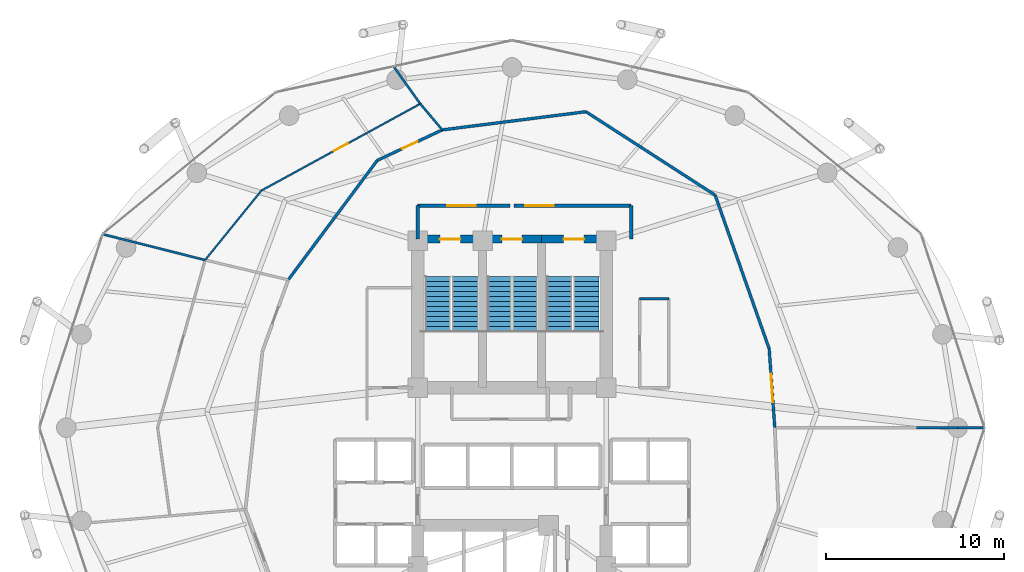
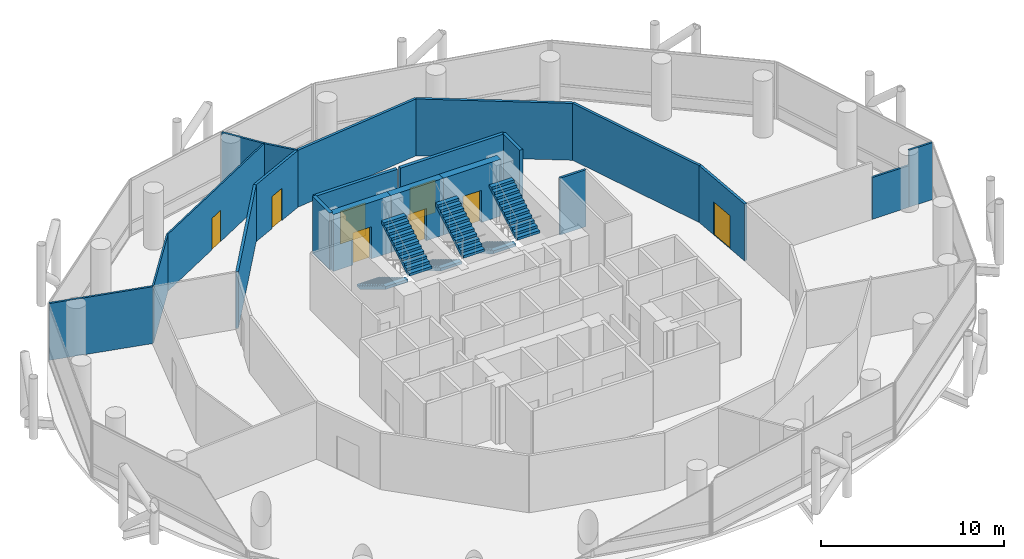
# One storey, part 23 of 24: 21 walls, 8 doors, 6 stair flights, 8 openings, 3 elements without a shape of their own.
"""IFC4 building model written with IfcOpenShell, lengths in metres."""

from ifc_helpers import new_model, si_unit, direction, frame, frame_2d, origin, place, context, subcontext, project, spatial, polyline, rectangle, outline, extrude, material, layer, layer_set, type_object, element, fill, aggregate, save


model = new_model("IFC4")

# Units and contexts
model_context = context("Model", 3, precision=1e-05, world=origin(), true_north=direction((0.0, 1.0)))
body_context = subcontext(model_context, "Body", "Model", "MODEL_VIEW")
ifc_project = project(units=[si_unit("LENGTHUNIT", "METRE"), si_unit("AREAUNIT", "SQUARE_METRE"), si_unit("VOLUMEUNIT", "CUBIC_METRE"), si_unit("PLANEANGLEUNIT", "RADIAN"), si_unit("MASSUNIT", "GRAM", prefix="KILO")], contexts=[model_context])

# Site, building, storey
site_placement = place(None, origin())
site = spatial("IfcSite", under=ifc_project, at=site_placement, CompositionType="ELEMENT")
building_placement = place(site_placement, origin())
building = spatial("IfcBuilding", under=site, at=building_placement, Name="Nuhasar Tower", CompositionType="ELEMENT")
storey_placement = place(building_placement, frame((0.0, 0.0, 81.75)))
storey = spatial("IfcBuildingStorey", under=building, at=storey_placement, Name="L19", CompositionType="ELEMENT", Elevation=81.75)

# Wall, opening, door
ifc_material_1 = material(Name="Concrete C50/60", Category="concrete")
ifc_layer_1 = layer(ifc_material_1, 0.449951171875)
ifc_layer_set_1 = layer_set([ifc_layer_1], Name="Concrete C50/60")
wall_type_1 = type_object("IfcWallType", Name="WL-CORE-450", PredefinedType="SHEAR", material=ifc_layer_set_1)
wall_1_placement = place(storey_placement, frame((37.35009765625, 37.39990234375, 0.0), z_axis=(0.0, 0.0, 1.0), x_axis=(-1.0, 0.0, 0.0)))
wall_1 = element("IfcWall", 1, at=wall_1_placement, inside=storey, type_object=wall_type_1, Name="L19 Stairwell Shear Wall ST01-N", PredefinedType="SHEAR", context=body_context, shape_type="SweptSolid", body=[
    extrude(rectangle(XDim=3.650146484375, YDim=0.449951171875, at=frame_2d((1.8251953125, 0.0))), origin(), (0.0, 0.0, 1.0), 3.800048828125),
])
opening_1_placement = place(wall_1_placement, frame((1.25, 0.0, 0.0)))
opening_1 = element("IfcOpeningElement", 2, at=opening_1_placement, cuts=wall_1, Name="Opening DS-01", PredefinedType="OPENING", context=body_context, shape_type="SweptSolid", body=[
    extrude(rectangle(XDim=1.14990234375, YDim=2.14990234375, at=frame_2d((0.574951171875, 1.074951171875))), frame((0.0, 0.23486328125, 0.0), z_axis=(0.0, -1.0, 0.0), x_axis=(1.0, 0.0, 0.0)), (0.0, 0.0, 1.0), 0.469970703125),
])
ifc_material_2 = material(Name="Steel S355", Category="steel")
door_type_1 = type_object("IfcDoorType", Name="DR-STAIR-FD120-1150", OperationType="NOTDEFINED", PredefinedType="DOOR", material=ifc_material_2)
door_1_placement = place(opening_1_placement, origin())
door_1 = element("IfcDoor", 3, at=door_1_placement, inside=storey, type_object=door_type_1, Name="L19 Exit Stair ST-01 Door", OperationType="SINGLE_SWING_RIGHT", OverallHeight=2.14990234375, OverallWidth=1.14990234375, PredefinedType="DOOR", context=body_context, shape_type="SweptSolid", body=[
    extrude(rectangle(XDim=1.14990234375, YDim=2.14990234375, at=frame_2d((0.574951171875, 1.074951171875))), frame((0.0, 0.02490234375, 0.0), z_axis=(0.0, -1.0, 0.0), x_axis=(1.0, 0.0, 0.0)), (0.0, 0.0, 1.0), 0.050048828125),
])
fill(opening_1, door_1)

wall_2_placement = place(storey_placement, frame((40.64990234375, 37.39990234375, 0.0), z_axis=(0.0, 0.0, 1.0), x_axis=(-1.0, 0.0, 0.0)))
wall_2 = element("IfcWall", 4, at=wall_2_placement, inside=storey, type_object=wall_type_1, Name="L19 Stairwell Shear Wall ST03-N", PredefinedType="SHEAR", context=body_context, shape_type="SweptSolid", body=[
    extrude(rectangle(XDim=3.2998046875, YDim=0.449951171875, at=frame_2d((1.64990234375, 0.0))), origin(), (0.0, 0.0, 1.0), 3.800048828125),
])
opening_2_placement = place(wall_2_placement, frame((1.074951171875, 0.0, 0.0)))
opening_2 = element("IfcOpeningElement", 5, at=opening_2_placement, cuts=wall_2, Name="Opening DS-01", PredefinedType="OPENING", context=body_context, shape_type="SweptSolid", body=[
    extrude(rectangle(XDim=1.14990234375, YDim=2.14990234375, at=frame_2d((0.574951171875, 1.074951171875))), frame((0.0, 0.23486328125, 0.0), z_axis=(0.0, -1.0, 0.0), x_axis=(1.0, 0.0, 0.0)), (0.0, 0.0, 1.0), 0.469970703125),
])
door_2_placement = place(opening_2_placement, origin())
door_2 = element("IfcDoor", 6, at=door_2_placement, inside=storey, type_object=door_type_1, Name="L19 Exit Stair ST-03 Door", OperationType="SINGLE_SWING_RIGHT", OverallHeight=2.14990234375, OverallWidth=1.14990234375, PredefinedType="DOOR", context=body_context, shape_type="SweptSolid", body=[
    extrude(rectangle(XDim=1.14990234375, YDim=2.14990234375, at=frame_2d((0.574951171875, 1.074951171875))), frame((0.0, 0.02490234375, 0.0), z_axis=(0.0, -1.0, 0.0), x_axis=(1.0, 0.0, 0.0)), (0.0, 0.0, 1.0), 0.050048828125),
])
fill(opening_2, door_2)

wall_3_placement = place(storey_placement, frame((44.300048828125, 37.39990234375, 0.0), z_axis=(0.0, 0.0, 1.0), x_axis=(-1.0, 0.0, 0.0)))
wall_3 = element("IfcWall", 7, at=wall_3_placement, inside=storey, type_object=wall_type_1, Name="L19 Stairwell Shear Wall ST02-N", PredefinedType="SHEAR", context=body_context, shape_type="SweptSolid", body=[
    extrude(rectangle(XDim=3.650146484375, YDim=0.449951171875, at=frame_2d((1.8251953125, 0.0))), origin(), (0.0, 0.0, 1.0), 3.800048828125),
])
opening_3_placement = place(wall_3_placement, frame((1.25, 0.0, 0.0)))
opening_3 = element("IfcOpeningElement", 8, at=opening_3_placement, cuts=wall_3, Name="Opening DS-01", PredefinedType="OPENING", context=body_context, shape_type="SweptSolid", body=[
    extrude(rectangle(XDim=1.14990234375, YDim=2.14990234375, at=frame_2d((0.574951171875, 1.074951171875))), frame((0.0, 0.23486328125, 0.0), z_axis=(0.0, -1.0, 0.0), x_axis=(1.0, 0.0, 0.0)), (0.0, 0.0, 1.0), 0.469970703125),
])
door_3_placement = place(opening_3_placement, origin())
door_3 = element("IfcDoor", 9, at=door_3_placement, inside=storey, type_object=door_type_1, Name="L19 Exit Stair ST-02 Door", OperationType="SINGLE_SWING_LEFT", OverallHeight=2.14990234375, OverallWidth=1.14990234375, PredefinedType="DOOR", context=body_context, shape_type="SweptSolid", body=[
    extrude(rectangle(XDim=1.14990234375, YDim=2.14990234375, at=frame_2d((0.574951171875, 1.074951171875))), frame((0.0, 0.02490234375, 0.0), z_axis=(0.0, -1.0, 0.0), x_axis=(1.0, 0.0, 0.0)), (0.0, 0.0, 1.0), 0.050048828125),
])
fill(opening_3, door_3)

ifc_material_3 = material(Name="Gypsum Board", Category="gypsum")
ifc_layer_2 = layer(ifc_material_3, 0.159912109375)
ifc_layer_set_2 = layer_set([ifc_layer_2], Name="Gypsum Board")
wall_type_2 = type_object("IfcWallType", Name="WL-CORR-160", PredefinedType="PARTITIONING", material=ifc_layer_set_2)
wall_4_placement = place(storey_placement, frame((53.455078125, 31.23388671875, 0.0), z_axis=(0.0, 0.0, 1.0), x_axis=(0.070852813603, -0.997486781268, 0.0)))
wall_4 = element("IfcWall", 10, at=wall_4_placement, inside=storey, type_object=wall_type_2, Name="L19 Interior Partition CORR-00", PredefinedType="PARTITIONING", context=body_context, shape_type="SweptSolid", body=[
    extrude(rectangle(XDim=4.445068359375, YDim=0.159912109375, at=frame_2d((2.22265625, 0.0))), origin(), (0.0, 0.0, 1.0), 3.800048828125),
])
opening_4_placement = place(wall_4_placement, frame((1.423095703125, 0.0, 0.0)))
opening_4 = element("IfcOpeningElement", 11, at=opening_4_placement, cuts=wall_4, Name="Opening DC-01", PredefinedType="OPENING", context=body_context, shape_type="SweptSolid", body=[
    extrude(rectangle(XDim=1.60009765625, YDim=2.199951171875, at=frame_2d((0.800048828125, 1.10009765625))), frame((0.0, 0.08984375, 0.0), z_axis=(0.0, -1.0, 0.0), x_axis=(1.0, 0.0, 0.0)), (0.0, 0.0, 1.0), 0.179931640625),
])
door_type_2 = type_object("IfcDoorType", Name="DR-CORR-FD60-1600", OperationType="DOUBLE_DOOR_SINGLE_SWING", PredefinedType="DOOR", material=ifc_material_2)
door_4_placement = place(opening_4_placement, origin())
door_4 = element("IfcDoor", 12, at=door_4_placement, inside=storey, type_object=door_type_2, Name="L19 Diplomatic Chancery Open-Plan Hall Entry Door", OperationType="DOUBLE_DOOR_SINGLE_SWING", OverallHeight=2.199951171875, OverallWidth=1.60009765625, PredefinedType="DOOR", context=body_context, shape_type="SweptSolid", body=[
    extrude(rectangle(XDim=1.60009765625, YDim=2.199951171875, at=frame_2d((0.800048828125, 1.10009765625))), frame((0.0, 0.02490234375, 0.0), z_axis=(0.0, -1.0, 0.0), x_axis=(1.0, 0.0, 0.0)), (0.0, 0.0, 1.0), 0.050048828125),
])
fill(opening_4, door_4)

# Walls
wall_5_placement = place(storey_placement, frame((53.455078125, 31.23388671875, 0.0), z_axis=(0.0, 0.0, 1.0), x_axis=(-0.331754156234, 0.943365878025, 0.0)))
element("IfcWall", 13, at=wall_5_placement, inside=storey, type_object=wall_type_2, Name="L19 Interior Partition CORR-02", PredefinedType="PARTITIONING", context=body_context, shape_type="SweptSolid", body=[
    extrude(rectangle(XDim=9.15478515625, YDim=0.159912109375, at=frame_2d((4.577392578125, 0.0))), origin(), (0.0, 0.0, 1.0), 3.800048828125),
])
wall_6_placement = place(storey_placement, frame((50.41796875, 39.8701171875, 0.0), z_axis=(0.0, 0.0, 1.0), x_axis=(-0.840113125335, 0.542411224662, 0.0)))
element("IfcWall", 14, at=wall_6_placement, inside=storey, type_object=wall_type_2, Name="L19 Interior Partition CORR-06", PredefinedType="PARTITIONING", context=body_context, shape_type="SweptSolid", body=[
    extrude(rectangle(XDim=8.642822265625, YDim=0.159912109375, at=frame_2d((4.3212890625, 0.0))), origin(), (0.0, 0.0, 1.0), 3.800048828125),
])
wall_7_placement = place(storey_placement, frame((43.156982421875, 44.55810546875, 0.0), z_axis=(0.0, 0.0, 1.0), x_axis=(-0.992082384678, -0.125588781395, 0.0)))
element("IfcWall", 15, at=wall_7_placement, inside=storey, type_object=wall_type_2, Name="L19 Interior Partition CORR-10", PredefinedType="PARTITIONING", context=body_context, shape_type="SweptSolid", body=[
    extrude(rectangle(XDim=8.139404296875, YDim=0.159912109375, at=frame_2d((4.06982421875, 0.0))), origin(), (0.0, 0.0, 1.0), 3.800048828125),
])

# Wall, opening, door
wall_8_placement = place(storey_placement, frame((31.425048828125, 41.818115234375, 0.0), z_axis=(0.0, 0.0, 1.0), x_axis=(0.905119749385, 0.42515672319, 0.0)))
wall_8 = element("IfcWall", 16, at=wall_8_placement, inside=storey, type_object=wall_type_2, Name="L19 Interior Partition CORR-14", PredefinedType="PARTITIONING", context=body_context, shape_type="SweptSolid", body=[
    extrude(rectangle(XDim=4.040283203125, YDim=0.159912109375, at=frame_2d((2.02001953125, 0.0))), origin(), (0.0, 0.0, 1.0), 3.800048828125),
])
opening_5_placement = place(wall_8_placement, frame((1.544921875, 0.0, 0.0)))
opening_5 = element("IfcOpeningElement", 17, at=opening_5_placement, cuts=wall_8, Name="Opening DO-01", PredefinedType="OPENING", context=body_context, shape_type="SweptSolid", body=[
    extrude(rectangle(XDim=0.949951171875, YDim=2.14990234375, at=frame_2d((0.47509765625, 1.074951171875))), frame((0.0, 0.08984375, 0.0), z_axis=(0.0, -1.0, 0.0), x_axis=(1.0, 0.0, 0.0)), (0.0, 0.0, 1.0), 0.179931640625),
])
ifc_material_4 = material(Name="Timber Oak", Category="wood")
door_type_3 = type_object("IfcDoorType", Name="DR-OFFICE-FD30-950", OperationType="NOTDEFINED", PredefinedType="DOOR", material=ifc_material_4)
door_5_placement = place(opening_5_placement, origin())
door_5 = element("IfcDoor", 18, at=door_5_placement, inside=storey, type_object=door_type_3, Name="L19 Ambassador Ceremonial Hall Entry Door", OperationType="SINGLE_SWING_LEFT", OverallHeight=2.14990234375, OverallWidth=0.949951171875, PredefinedType="DOOR", context=body_context, shape_type="SweptSolid", body=[
    extrude(rectangle(XDim=0.949951171875, YDim=2.14990234375, at=frame_2d((0.47509765625, 1.074951171875))), frame((0.0, 0.02490234375, 0.0), z_axis=(0.0, -1.0, 0.0), x_axis=(1.0, 0.0, 0.0)), (0.0, 0.0, 1.0), 0.050048828125),
])
fill(opening_5, door_5)

# Walls
wall_9_placement = place(storey_placement, frame((31.425048828125, 41.818115234375, 0.0), z_axis=(0.0, 0.0, 1.0), x_axis=(-0.597625536664, -0.801775353779, 0.0)))
element("IfcWall", 19, at=wall_9_placement, inside=storey, type_object=wall_type_2, Name="L19 Interior Partition CORR-16", PredefinedType="PARTITIONING", context=body_context, shape_type="SweptSolid", body=[
    extrude(rectangle(XDim=8.366455078125, YDim=0.159912109375, at=frame_2d((4.18310546875, 0.0))), origin(), (0.0, 0.0, 1.0), 3.800048828125),
])
ifc_material_5 = material(Name="Concrete C45/55", Category="concrete")
ifc_layer_3 = layer(ifc_material_5, 0.199951171875)
ifc_layer_set_3 = layer_set([ifc_layer_3], Name="Concrete C45/55")
wall_type_3 = type_object("IfcWallType", Name="WL-LOBBY-200", PredefinedType="SOLIDWALL", material=ifc_layer_set_3)
for number, where, z_axis, x_axis, name in (
    (20, (33.699951171875, 37.39990234375, 0.0), (0.0, 0.0, 1.0), (0.0, 1.0, 0.0), "L19 Interior Partition NSL-W"),
    (21, (45.699951171875, 37.39990234375, 0.0), (0.0, 0.0, 1.0), (0.0, 1.0, 0.0), "L19 Interior Partition NSL-E"),
):
    element("IfcWall", number, at=place(storey_placement, frame(where, z_axis=z_axis, x_axis=x_axis)), inside=storey, type_object=wall_type_3, Name=name, PredefinedType="SOLIDWALL", context=body_context, shape_type="SweptSolid", body=[
        extrude(rectangle(XDim=1.880126953125, YDim=0.199951171875, at=frame_2d((0.93994140625, 0.0))), origin(), (0.0, 0.0, 1.0), 3.800048828125),
    ])

# Wall, opening, door
wall_10_placement = place(storey_placement, frame((38.89990234375, 39.280029296875, 0.0), z_axis=(0.0, 0.0, 1.0), x_axis=(-1.0, 0.0, 0.0)))
wall_10 = element("IfcWall", 22, at=wall_10_placement, inside=storey, type_object=wall_type_3, Name="L19 Interior Partition NSL-N1", PredefinedType="SOLIDWALL", context=body_context, shape_type="SweptSolid", body=[
    extrude(rectangle(XDim=5.199951171875, YDim=0.199951171875, at=frame_2d((2.60009765625, 0.0))), origin(), (0.0, 0.0, 1.0), 3.800048828125),
])
opening_6_placement = place(wall_10_placement, frame((1.949951171875, 0.0, 0.0)))
opening_6 = element("IfcOpeningElement", 23, at=opening_6_placement, cuts=wall_10, Name="Opening DC-01", PredefinedType="OPENING", context=body_context, shape_type="SweptSolid", body=[
    extrude(rectangle(XDim=1.60009765625, YDim=2.199951171875, at=frame_2d((0.800048828125, 1.10009765625))), frame((0.0, 0.10986328125, 0.0), z_axis=(0.0, -1.0, 0.0), x_axis=(1.0, 0.0, 0.0)), (0.0, 0.0, 1.0), 0.219970703125),
])
door_6_placement = place(opening_6_placement, origin())
door_6 = element("IfcDoor", 24, at=door_6_placement, inside=storey, type_object=door_type_2, Name="L19 North Stair Lobby West Door", OperationType="DOUBLE_DOOR_SINGLE_SWING", OverallHeight=2.199951171875, OverallWidth=1.60009765625, PredefinedType="DOOR", context=body_context, shape_type="SweptSolid", body=[
    extrude(rectangle(XDim=1.60009765625, YDim=2.199951171875, at=frame_2d((0.800048828125, 1.10009765625))), frame((0.0, 0.02490234375, 0.0), z_axis=(0.0, -1.0, 0.0), x_axis=(1.0, 0.0, 0.0)), (0.0, 0.0, 1.0), 0.050048828125),
])
fill(opening_6, door_6)

wall_11_placement = place(storey_placement, frame((45.699951171875, 39.280029296875, 0.0), z_axis=(0.0, 0.0, 1.0), x_axis=(-1.0, 0.0, 0.0)))
wall_11 = element("IfcWall", 25, at=wall_11_placement, inside=storey, type_object=wall_type_3, Name="L19 Interior Partition NSL-N2", PredefinedType="SOLIDWALL", context=body_context, shape_type="SweptSolid", body=[
    extrude(rectangle(XDim=6.599853515625, YDim=0.199951171875, at=frame_2d((3.2998046875, 0.0))), origin(), (0.0, 0.0, 1.0), 3.800048828125),
])
opening_7_placement = place(wall_11_placement, frame((4.35009765625, 0.0, 0.0)))
opening_7 = element("IfcOpeningElement", 26, at=opening_7_placement, cuts=wall_11, Name="Opening DC-01", PredefinedType="OPENING", context=body_context, shape_type="SweptSolid", body=[
    extrude(rectangle(XDim=1.60009765625, YDim=2.199951171875, at=frame_2d((0.800048828125, 1.10009765625))), frame((0.0, 0.10986328125, 0.0), z_axis=(0.0, -1.0, 0.0), x_axis=(1.0, 0.0, 0.0)), (0.0, 0.0, 1.0), 0.219970703125),
])
door_7_placement = place(opening_7_placement, origin())
door_7 = element("IfcDoor", 27, at=door_7_placement, inside=storey, type_object=door_type_2, Name="L19 North Stair Lobby East Door", OperationType="DOUBLE_DOOR_SINGLE_SWING", OverallHeight=2.199951171875, OverallWidth=1.60009765625, PredefinedType="DOOR", context=body_context, shape_type="SweptSolid", body=[
    extrude(rectangle(XDim=1.60009765625, YDim=2.199951171875, at=frame_2d((0.800048828125, 1.10009765625))), frame((0.0, 0.02490234375, 0.0), z_axis=(0.0, -1.0, 0.0), x_axis=(1.0, 0.0, 0.0)), (0.0, 0.0, 1.0), 0.050048828125),
])
fill(opening_7, door_7)

ifc_material_6 = material(Name="Aluminium 6063-T6", Category="aluminium")
ifc_layer_4 = layer(ifc_material_6, 0.10009765625)
ifc_layer_set_4 = layer_set([ifc_layer_4], Name="Aluminium 6063-T6")
wall_type_4 = type_object("IfcWallType", Name="WL-MOVABLE-100", PredefinedType="MOVABLE", material=ifc_layer_set_4)
wall_12_placement = place(storey_placement, frame((24.916015625, 40.125, 0.0), z_axis=(0.0, 0.0, 1.0), x_axis=(0.877622145541, 0.479353074107, 0.0)))
wall_12 = element("IfcWall", 28, at=wall_12_placement, inside=storey, type_object=wall_type_4, Name="L19 Interior Partition OMID-02-14", PredefinedType="MOVABLE", context=body_context, shape_type="SweptSolid", body=[
    extrude(rectangle(XDim=10.174072265625, YDim=0.10009765625, at=frame_2d((5.0869140625, 0.0))), origin(), (0.0, 0.0, 1.0), 3.800048828125),
])
opening_8_placement = place(wall_12_placement, frame((4.636962890625, 0.0, 0.0)))
opening_8 = element("IfcOpeningElement", 29, at=opening_8_placement, cuts=wall_12, Name="Opening DR-01", PredefinedType="OPENING", context=body_context, shape_type="SweptSolid", body=[
    extrude(rectangle(XDim=0.89990234375, YDim=2.10009765625, at=frame_2d((0.449951171875, 1.050048828125))), frame((0.0, 0.06005859375, 0.0), z_axis=(0.0, -1.0, 0.0), x_axis=(1.0, 0.0, 0.0)), (0.0, 0.0, 1.0), 0.1201171875),
])
door_type_4 = type_object("IfcDoorType", Name="DR-ROOM-900", OperationType="NOTDEFINED", PredefinedType="DOOR", material=ifc_material_4)
door_8_placement = place(opening_8_placement, origin())
door_8 = element("IfcDoor", 30, at=door_8_placement, inside=storey, type_object=door_type_4, Name="L19 Ambassador Ceremonial Hall Inner Door", OperationType="SINGLE_SWING_RIGHT", OverallHeight=2.10009765625, OverallWidth=0.89990234375, PredefinedType="DOOR", context=body_context, shape_type="SweptSolid", body=[
    extrude(rectangle(XDim=0.89990234375, YDim=2.10009765625, at=frame_2d((0.449951171875, 1.050048828125))), frame((0.0, 0.02490234375, 0.0), z_axis=(0.0, -1.0, 0.0), x_axis=(1.0, 0.0, 0.0)), (0.0, 0.0, 1.0), 0.050048828125),
])
fill(opening_8, door_8)

# Walls
wall_13_placement = place(storey_placement, frame((24.916015625, 40.125, 0.0), z_axis=(0.0, 0.0, 1.0), x_axis=(-0.629847907994, -0.776718490057, 0.0)))
element("IfcWall", 31, at=wall_13_placement, inside=storey, type_object=wall_type_4, Name="L19 Interior Partition OMID-02-18", PredefinedType="MOVABLE", context=body_context, shape_type="SweptSolid", body=[
    extrude(rectangle(XDim=5.025146484375, YDim=0.10009765625, at=frame_2d((2.5126953125, 0.0))), origin(), (0.0, 0.0, 1.0), 3.800048828125),
])
ifc_layer_5 = layer(ifc_material_3, 0.125)
ifc_layer_set_5 = layer_set([ifc_layer_5], Name="Gypsum Board")
wall_type_5 = type_object("IfcWallType", Name="WL-PART-125", PredefinedType="PARTITIONING", material=ifc_layer_set_5)
wall_14_placement = place(storey_placement, frame((61.72998046875, 26.800048828125, 0.0), z_axis=(0.0, 0.0, 1.0), x_axis=(1.0, 0.0, 0.0)))
element("IfcWall", 32, at=wall_14_placement, inside=storey, type_object=wall_type_5, Name="L19 Interior Partition ORAD-00", PredefinedType="PARTITIONING", context=body_context, shape_type="SweptSolid", body=[
    extrude(rectangle(XDim=2.326904296875, YDim=0.125, at=frame_2d((1.16357421875, 0.0))), origin(), (0.0, 0.0, 1.0), 2.7900390625),
])
wall_15_placement = place(storey_placement, frame((64.056884765625, 26.800048828125, 0.0), z_axis=(0.0, 0.0, 1.0), x_axis=(1.0, 0.0, 0.0)))
element("IfcWall", 33, at=wall_15_placement, inside=storey, type_object=wall_type_5, Name="L19 Interior Partition ORAD-00", PredefinedType="PARTITIONING", context=body_context, shape_type="SweptSolid", body=[
    extrude(rectangle(XDim=1.468017578125, YDim=0.125, at=frame_2d((0.73388671875, 0.0))), origin(), (0.0, 0.0, 1.0), 3.800048828125),
])
wall_16_placement = place(storey_placement, frame((35.08203125, 43.535888671875, 0.0), z_axis=(0.0, 0.0, 1.0), x_axis=(-0.644891848608, 0.764273840713, 0.0)))
element("IfcWall", 34, at=wall_16_placement, inside=storey, type_object=wall_type_5, Name="L19 Interior Partition ORAD-14-S1", PredefinedType="PARTITIONING", context=body_context, shape_type="SweptSolid", body=[
    extrude(rectangle(XDim=1.918212890625, YDim=0.125, at=frame_2d((0.958984375, 0.0))), origin(), (0.0, 0.0, 1.0), 3.800048828125),
])
wall_17_placement = place(storey_placement, frame((33.844970703125, 45.001953125, 0.0), z_axis=(0.0, 0.0, 1.0), x_axis=(-0.581119990345, 0.813817889224, 0.0)))
element("IfcWall", 35, at=wall_17_placement, inside=storey, type_object=wall_type_5, Name="L19 Interior Partition ORAD-14-S2", PredefinedType="PARTITIONING", context=body_context, shape_type="SweptSolid", body=[
    extrude(rectangle(XDim=2.5400390625, YDim=0.125, at=frame_2d((1.27001953125, 0.0))), origin(), (0.0, 0.0, 1.0), 3.800048828125),
])
wall_18_placement = place(storey_placement, frame((21.7509765625, 36.221923828125, 0.0), z_axis=(0.0, 0.0, 1.0), x_axis=(-0.969715081033, 0.244238943693, 0.0)))
element("IfcWall", 36, at=wall_18_placement, inside=storey, type_object=wall_type_5, Name="L19 Interior Partition ORAD-20-S2", PredefinedType="PARTITIONING", context=body_context, shape_type="SweptSolid", body=[
    extrude(rectangle(XDim=5.900634765625, YDim=0.125, at=frame_2d((2.9501953125, 0.0))), origin(), (0.0, 0.0, 1.0), 3.800048828125),
])
ifc_material_7 = material(Name="Concrete C40/50 precast", Category="concrete")
ifc_layer_6 = layer(ifc_material_7, 0.139892578125)
ifc_layer_set_6 = layer_set([ifc_layer_6], Name="Concrete C40/50 precast")
wall_type_6 = type_object("IfcWallType", Name="WL-WET-140", PredefinedType="PARTITIONING", material=ifc_layer_set_6)
wall_19_placement = place(storey_placement, frame((46.179931640625, 34.050048828125, 0.0), z_axis=(0.0, 0.0, 1.0), x_axis=(1.0, 0.0, 0.0)))
element("IfcWall", 37, at=wall_19_placement, inside=storey, type_object=wall_type_6, Name="L19 Interior Partition K3-NE-N", PredefinedType="PARTITIONING", context=body_context, shape_type="SweptSolid", body=[
    extrude(rectangle(XDim=1.64013671875, YDim=0.139892578125, at=frame_2d((0.820068359375, 0.0))), origin(), (0.0, 0.0, 1.0), 3.800048828125),
])

# Stair, stair flights
stair_type_1 = type_object("IfcStairType", Name="STR-ST-01-2F-24R-1688", PredefinedType="HALF_TURN_STAIR", material=ifc_material_5)
stair_1_placement = place(storey_placement, origin())
stair_1 = element("IfcStair", 38, at=stair_1_placement, inside=storey, type_object=stair_type_1, Name="L19 Exit Stair ST-01", PredefinedType="HALF_TURN_STAIR")
stair_flight_type_1 = type_object("IfcStairFlightType", Name="SFL-ST-01-12R-1688", PredefinedType="STRAIGHT", material=ifc_material_5)
stair_flight_1_placement = place(storey_placement, frame((34.830078125, 35.284912109375, 0.0), z_axis=(0.0, 0.0, 1.0), x_axis=(0.0, -1.0, 0.0)))
stair_flight_1 = element("IfcStairFlight", 39, at=stair_flight_1_placement, type_object=stair_flight_type_1, Name="ST-01 flight 1", NumberOfRisers=12, NumberOfTreads=11, PredefinedType="STRAIGHT", RiserHeight=0.16875, TreadLength=0.28, context=body_context, shape_type="SweptSolid", body=[
    extrude(outline(polyline([(0.0, 0.0), (0.0, 0.168701171875), (0.280029296875, 0.168701171875), (0.280029296875, 0.33740234375), (0.56005859375, 0.33740234375), (0.56005859375, 0.50634765625), (0.840087890625, 0.50634765625), (0.840087890625, 0.675048828125), (1.1201171875, 0.675048828125), (1.1201171875, 0.84375), (1.39990234375, 0.84375), (1.39990234375, 1.012451171875), (1.679931640625, 1.012451171875), (1.679931640625, 1.18115234375), (1.9599609375, 1.18115234375), (1.9599609375, 1.35009765625), (2.239990234375, 1.35009765625), (2.239990234375, 1.518798828125), (2.52001953125, 1.518798828125), (2.52001953125, 1.6875), (2.800048828125, 1.6875), (2.800048828125, 1.856201171875), (3.080078125, 1.856201171875), (3.080078125, 2.02490234375), (3.080078125, 1.66943359375), (0.309814453125, 0.0), (0.0, 0.0)])), frame((0.0, 0.7099609375, 0.0), z_axis=(0.0, -1.0, 0.0), x_axis=(1.0, 0.0, 0.0)), (0.0, 0.0, 1.0), 1.419921875),
])
stair_flight_2_placement = place(storey_placement, frame((36.35009765625, 32.205078125, 2.02490234375), z_axis=(0.0, 0.0, 1.0), x_axis=(0.0, 1.0, 0.0)))
stair_flight_2 = element("IfcStairFlight", 40, at=stair_flight_2_placement, type_object=stair_flight_type_1, Name="ST-01 flight 2", NumberOfRisers=12, NumberOfTreads=11, PredefinedType="STRAIGHT", RiserHeight=0.16875, TreadLength=0.28, context=body_context, shape_type="SweptSolid", body=[
    extrude(outline(polyline([(0.0, 0.0), (0.0, 0.168701171875), (0.280029296875, 0.168701171875), (0.280029296875, 0.33740234375), (0.56005859375, 0.33740234375), (0.56005859375, 0.50634765625), (0.840087890625, 0.50634765625), (0.840087890625, 0.675048828125), (1.1201171875, 0.675048828125), (1.1201171875, 0.84375), (1.39990234375, 0.84375), (1.39990234375, 1.012451171875), (1.679931640625, 1.012451171875), (1.679931640625, 1.18115234375), (1.9599609375, 1.18115234375), (1.9599609375, 1.35009765625), (2.239990234375, 1.35009765625), (2.239990234375, 1.518798828125), (2.52001953125, 1.518798828125), (2.52001953125, 1.6875), (2.800048828125, 1.6875), (2.800048828125, 1.856201171875), (3.080078125, 1.856201171875), (3.080078125, 2.02490234375), (3.080078125, 1.66943359375), (0.309814453125, 0.0), (0.0, 0.0)])), frame((0.0, 0.7099609375, 0.0), z_axis=(0.0, -1.0, 0.0), x_axis=(1.0, 0.0, 0.0)), (0.0, 0.0, 1.0), 1.419921875),
])
aggregate(stair_1, [stair_flight_1, stair_flight_2])

stair_type_2 = type_object("IfcStairType", Name="STR-ST-02-2F-24R-1688", PredefinedType="HALF_TURN_STAIR", material=ifc_material_5)
stair_2_placement = place(storey_placement, origin())
stair_2 = element("IfcStair", 41, at=stair_2_placement, inside=storey, type_object=stair_type_2, Name="L19 Exit Stair ST-02", PredefinedType="HALF_TURN_STAIR")
stair_flight_type_2 = type_object("IfcStairFlightType", Name="SFL-ST-02-12R-1688", PredefinedType="STRAIGHT", material=ifc_material_5)
stair_flight_3_placement = place(storey_placement, frame((41.64990234375, 35.284912109375, 0.0), z_axis=(0.0, 0.0, 1.0), x_axis=(0.0, -1.0, 0.0)))
stair_flight_3 = element("IfcStairFlight", 42, at=stair_flight_3_placement, type_object=stair_flight_type_2, Name="ST-02 flight 1", NumberOfRisers=12, NumberOfTreads=11, PredefinedType="STRAIGHT", RiserHeight=0.16875, TreadLength=0.28, context=body_context, shape_type="SweptSolid", body=[
    extrude(outline(polyline([(0.0, 0.0), (0.0, 0.168701171875), (0.280029296875, 0.168701171875), (0.280029296875, 0.33740234375), (0.56005859375, 0.33740234375), (0.56005859375, 0.50634765625), (0.840087890625, 0.50634765625), (0.840087890625, 0.675048828125), (1.1201171875, 0.675048828125), (1.1201171875, 0.84375), (1.39990234375, 0.84375), (1.39990234375, 1.012451171875), (1.679931640625, 1.012451171875), (1.679931640625, 1.18115234375), (1.9599609375, 1.18115234375), (1.9599609375, 1.35009765625), (2.239990234375, 1.35009765625), (2.239990234375, 1.518798828125), (2.52001953125, 1.518798828125), (2.52001953125, 1.6875), (2.800048828125, 1.6875), (2.800048828125, 1.856201171875), (3.080078125, 1.856201171875), (3.080078125, 2.02490234375), (3.080078125, 1.66943359375), (0.309814453125, 0.0), (0.0, 0.0)])), frame((0.0, 0.7099609375, 0.0), z_axis=(0.0, -1.0, 0.0), x_axis=(1.0, 0.0, 0.0)), (0.0, 0.0, 1.0), 1.419921875),
])
stair_flight_4_placement = place(storey_placement, frame((43.169921875, 32.205078125, 2.02490234375), z_axis=(0.0, 0.0, 1.0), x_axis=(0.0, 1.0, 0.0)))
stair_flight_4 = element("IfcStairFlight", 43, at=stair_flight_4_placement, type_object=stair_flight_type_2, Name="ST-02 flight 2", NumberOfRisers=12, NumberOfTreads=11, PredefinedType="STRAIGHT", RiserHeight=0.16875, TreadLength=0.28, context=body_context, shape_type="SweptSolid", body=[
    extrude(outline(polyline([(0.0, 0.0), (0.0, 0.168701171875), (0.280029296875, 0.168701171875), (0.280029296875, 0.33740234375), (0.56005859375, 0.33740234375), (0.56005859375, 0.50634765625), (0.840087890625, 0.50634765625), (0.840087890625, 0.675048828125), (1.1201171875, 0.675048828125), (1.1201171875, 0.84375), (1.39990234375, 0.84375), (1.39990234375, 1.012451171875), (1.679931640625, 1.012451171875), (1.679931640625, 1.18115234375), (1.9599609375, 1.18115234375), (1.9599609375, 1.35009765625), (2.239990234375, 1.35009765625), (2.239990234375, 1.518798828125), (2.52001953125, 1.518798828125), (2.52001953125, 1.6875), (2.800048828125, 1.6875), (2.800048828125, 1.856201171875), (3.080078125, 1.856201171875), (3.080078125, 2.02490234375), (3.080078125, 1.66943359375), (0.309814453125, 0.0), (0.0, 0.0)])), frame((0.0, 0.7099609375, 0.0), z_axis=(0.0, -1.0, 0.0), x_axis=(1.0, 0.0, 0.0)), (0.0, 0.0, 1.0), 1.419921875),
])
aggregate(stair_2, [stair_flight_3, stair_flight_4])

stair_type_3 = type_object("IfcStairType", Name="STR-ST-03-2F-24R-1688", PredefinedType="HALF_TURN_STAIR", material=ifc_material_5)
stair_3_placement = place(storey_placement, origin())
stair_3 = element("IfcStair", 44, at=stair_3_placement, inside=storey, type_object=stair_type_3, Name="L19 Exit Stair ST-03", PredefinedType="HALF_TURN_STAIR")
stair_flight_type_3 = type_object("IfcStairFlightType", Name="SFL-ST-03-12R-1688", PredefinedType="STRAIGHT", material=ifc_material_5)
stair_flight_5_placement = place(storey_placement, frame((38.280029296875, 35.284912109375, 0.0), z_axis=(0.0, 0.0, 1.0), x_axis=(0.0, -1.0, 0.0)))
stair_flight_5 = element("IfcStairFlight", 45, at=stair_flight_5_placement, type_object=stair_flight_type_3, Name="ST-03 flight 1", NumberOfRisers=12, NumberOfTreads=11, PredefinedType="STRAIGHT", RiserHeight=0.16875, TreadLength=0.28, context=body_context, shape_type="SweptSolid", body=[
    extrude(outline(polyline([(0.0, 0.0), (0.0, 0.168701171875), (0.280029296875, 0.168701171875), (0.280029296875, 0.33740234375), (0.56005859375, 0.33740234375), (0.56005859375, 0.50634765625), (0.840087890625, 0.50634765625), (0.840087890625, 0.675048828125), (1.1201171875, 0.675048828125), (1.1201171875, 0.84375), (1.39990234375, 0.84375), (1.39990234375, 1.012451171875), (1.679931640625, 1.012451171875), (1.679931640625, 1.18115234375), (1.9599609375, 1.18115234375), (1.9599609375, 1.35009765625), (2.239990234375, 1.35009765625), (2.239990234375, 1.518798828125), (2.52001953125, 1.518798828125), (2.52001953125, 1.6875), (2.800048828125, 1.6875), (2.800048828125, 1.856201171875), (3.080078125, 1.856201171875), (3.080078125, 2.02490234375), (3.080078125, 1.66943359375), (0.309814453125, 0.0), (0.0, 0.0)])), frame((0.0, 0.669921875, 0.0), z_axis=(0.0, -1.0, 0.0), x_axis=(1.0, 0.0, 0.0)), (0.0, 0.0, 1.0), 1.340087890625),
])
stair_flight_6_placement = place(storey_placement, frame((39.719970703125, 32.205078125, 2.02490234375), z_axis=(0.0, 0.0, 1.0), x_axis=(0.0, 1.0, 0.0)))
stair_flight_6 = element("IfcStairFlight", 46, at=stair_flight_6_placement, type_object=stair_flight_type_3, Name="ST-03 flight 2", NumberOfRisers=12, NumberOfTreads=11, PredefinedType="STRAIGHT", RiserHeight=0.16875, TreadLength=0.28, context=body_context, shape_type="SweptSolid", body=[
    extrude(outline(polyline([(0.0, 0.0), (0.0, 0.168701171875), (0.280029296875, 0.168701171875), (0.280029296875, 0.33740234375), (0.56005859375, 0.33740234375), (0.56005859375, 0.50634765625), (0.840087890625, 0.50634765625), (0.840087890625, 0.675048828125), (1.1201171875, 0.675048828125), (1.1201171875, 0.84375), (1.39990234375, 0.84375), (1.39990234375, 1.012451171875), (1.679931640625, 1.012451171875), (1.679931640625, 1.18115234375), (1.9599609375, 1.18115234375), (1.9599609375, 1.35009765625), (2.239990234375, 1.35009765625), (2.239990234375, 1.518798828125), (2.52001953125, 1.518798828125), (2.52001953125, 1.6875), (2.800048828125, 1.6875), (2.800048828125, 1.856201171875), (3.080078125, 1.856201171875), (3.080078125, 2.02490234375), (3.080078125, 1.66943359375), (0.309814453125, 0.0), (0.0, 0.0)])), frame((0.0, 0.669921875, 0.0), z_axis=(0.0, -1.0, 0.0), x_axis=(1.0, 0.0, 0.0)), (0.0, 0.0, 1.0), 1.340087890625),
])
aggregate(stair_3, [stair_flight_5, stair_flight_6])

save(model, "model.ifc")
